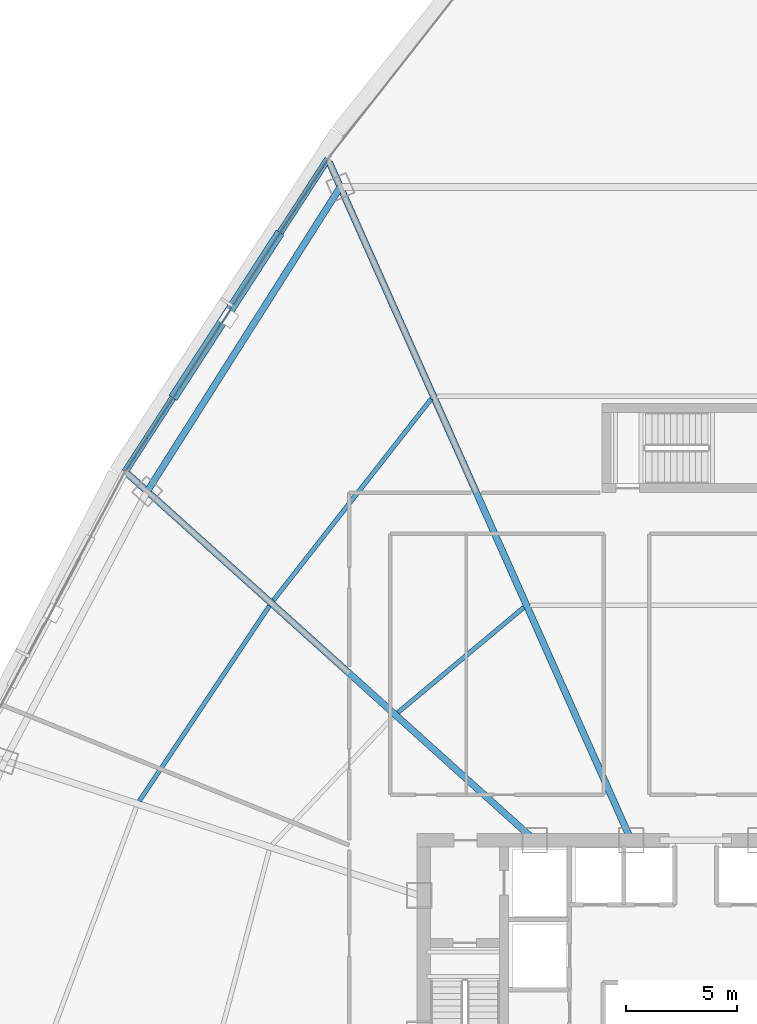
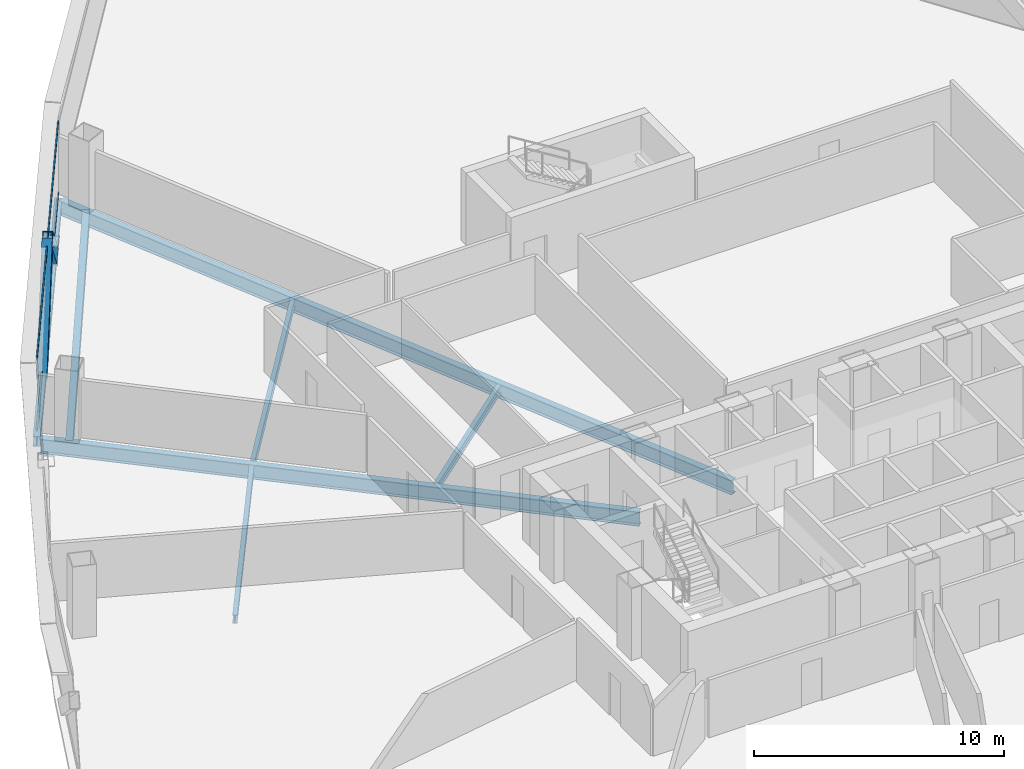
# One storey, part 17 of 41: 7 beams, 4 members, 1 element without a shape of its own.
"""IFC4 building model written with IfcOpenShell, lengths in metres."""

import ifcopenshell
import ifcopenshell.guid

model = None  # the IFC model being written
_history = None  # IfcOwnerHistory: only IFC2X3 demands one
_inside = {}  # id of a spatial element -> (the spatial element, [elements in it])
_under = {}  # id of a project, library or spatial element -> (it, [spatial elements below it])
_declared = {}  # id of a project -> (the project, [libraries it declares])
_typed = {}  # id of a type object -> (the type object, [elements of that type])
_made_of = {}  # id of a material, layer set ... -> (it, [elements and type objects made of it])


def new_model(schema):
    """Start an empty IFC model of exactly this schema.

    Asked for "IFC4X3", IfcOpenShell would pick the latest addendum, in which some entities
    have other attributes; the version numbers below select the first issue.
    IFC2X3 requires an IfcOwnerHistory on every rooted entity: one is made here for all.
    """
    global model, _history
    if schema == "IFC4X3":
        model = ifcopenshell.file(schema_version=(4, 3, 0, 0))
    else:
        model = ifcopenshell.file(schema=schema)
    _inside.clear()
    _under.clear()
    _declared.clear()
    _typed.clear()
    _made_of.clear()
    _history = None
    if model.schema == "IFC2X3":
        org = make("IfcOrganization", Name="unknown")
        user = make(
            "IfcPersonAndOrganization",
            ThePerson=make("IfcPerson", FamilyName="unknown"),
            TheOrganization=org,
        )
        app = make(
            "IfcApplication",
            ApplicationDeveloper=org,
            Version="unknown",
            ApplicationFullName="unknown",
            ApplicationIdentifier="unknown",
        )
        _history = make(
            "IfcOwnerHistory",
            OwningUser=user,
            OwningApplication=app,
            ChangeAction="ADDED",
            CreationDate=0,
        )
    return model


def make(cls, **values):
    """One entity of the class cls with the attributes given. An attribute that is None is left unset."""
    return model.create_entity(
        cls, **{name: value for name, value in values.items() if value is not None}
    )


def rooted(cls, **values):
    """An entity with a GlobalId (a new one), such as an element, a storey or a relation."""
    return make(cls, GlobalId=ifcopenshell.guid.new(), OwnerHistory=_history, **values)


def si_unit(unit_type, name, prefix=None):
    """IfcSIUnit, for example si_unit("LENGTHUNIT", "METRE", prefix="MILLI")."""
    return make("IfcSIUnit", UnitType=unit_type, Prefix=prefix, Name=name)


def assignment(units):
    """IfcUnitAssignment: the units of a project."""
    return None if units is None else make("IfcUnitAssignment", Units=units)


def point(xyz):
    """IfcCartesianPoint."""
    return None if xyz is None else make("IfcCartesianPoint", Coordinates=xyz)


def direction(xyz):
    """IfcDirection."""
    return None if xyz is None else make("IfcDirection", DirectionRatios=xyz)


def frame(location, z_axis=None, x_axis=None):
    """IfcAxis2Placement3D, a coordinate frame: its origin and axes. An axis left out is left unset."""
    return make(
        "IfcAxis2Placement3D",
        Location=point(location),
        Axis=direction(z_axis),
        RefDirection=direction(x_axis),
    )


def frame_2d(location, x_axis=None):
    """IfcAxis2Placement2D, a coordinate frame in the plane: its origin and x axis."""
    return make(
        "IfcAxis2Placement2D", Location=point(location), RefDirection=direction(x_axis)
    )


def origin():
    """The frame at (0, 0, 0) with its axes left unset."""
    return frame((0.0, 0.0, 0.0))


def origin_2d():
    """The frame at (0, 0) in the plane with its x axis left unset."""
    return frame_2d((0.0, 0.0))


def place(relative_to, where):
    """IfcLocalPlacement: puts the frame where relative to a parent placement (None: the world)."""
    return make(
        "IfcLocalPlacement", PlacementRelTo=relative_to, RelativePlacement=where
    )


def context(
    kind, dimensions, precision=None, world=None, true_north=None, identifier=None
):
    """IfcGeometricRepresentationContext, for example the 3D "Model" context."""
    return make(
        "IfcGeometricRepresentationContext",
        ContextIdentifier=identifier,
        ContextType=kind,
        CoordinateSpaceDimension=dimensions,
        Precision=precision,
        WorldCoordinateSystem=world,
        TrueNorth=true_north,
    )


def subcontext(parent, identifier, kind, view, scale=None):
    """IfcGeometricRepresentationSubContext, for example "Body" below "Model"."""
    return make(
        "IfcGeometricRepresentationSubContext",
        ContextIdentifier=identifier,
        ContextType=kind,
        ParentContext=parent,
        TargetScale=scale,
        TargetView=view,
    )


def project(units=None, contexts=None):
    """IfcProject with its units and contexts."""
    return rooted(
        "IfcProject",
        Name="project",
        RepresentationContexts=contexts,
        UnitsInContext=assignment(units),
    )


def spatial(cls, under=None, at=None, **own):
    """A site, building, storey or space (cls), placed at a placement, below another one or the project."""
    s = rooted(cls, ObjectPlacement=at, **own)
    if under is not None:
        _under.setdefault(under.id(), (under, []))[1].append(s)
    return s


def profile(cls, at=None, kind="AREA", **sizes):
    """A parametric profile (cls). Its sizes go by their IFC names, for example OverallWidth=200.0."""
    return make(cls, ProfileType=kind, Position=at, **sizes)


def hollow_rectangle(**sizes):
    """IfcRectangleHollowProfileDef."""
    return profile("IfcRectangleHollowProfileDef", **sizes)


def i_section(**sizes):
    """IfcIShapeProfileDef."""
    return profile("IfcIShapeProfileDef", **sizes)


def extrude(swept, where, along, depth):
    """IfcExtrudedAreaSolid: the profile swept, set in the frame where, extruded along a direction by depth."""
    return make(
        "IfcExtrudedAreaSolid",
        SweptArea=swept,
        Position=where,
        ExtrudedDirection=direction(along),
        Depth=depth,
    )


def shape(context_of_items, identifier, shape_type, items):
    """IfcShapeRepresentation: the items that make up one representation, for example the "Body"."""
    return make(
        "IfcShapeRepresentation",
        ContextOfItems=context_of_items,
        RepresentationIdentifier=identifier,
        RepresentationType=shape_type,
        Items=items,
    )


def source(mapping_origin, context_of_items, identifier, shape_type, items):
    """IfcRepresentationMap: a shape defined once, which mapped items show again and again."""
    return make(
        "IfcRepresentationMap",
        MappingOrigin=mapping_origin,
        MappedRepresentation=shape(context_of_items, identifier, shape_type, items),
    )


def transform(
    local_origin,
    x_axis=None,
    y_axis=None,
    z_axis=None,
    scale=None,
    scale2=None,
    scale3=None,
    uniform=True,
):
    """IfcCartesianTransformationOperator3D, or its non-uniform kind. x_axis, y_axis, z_axis: its Axis1, 2, 3."""
    if uniform:
        return make(
            "IfcCartesianTransformationOperator3D",
            Axis1=direction(x_axis),
            Axis2=direction(y_axis),
            LocalOrigin=point(local_origin),
            Scale=scale,
            Axis3=direction(z_axis),
        )
    return make(
        "IfcCartesianTransformationOperator3DnonUniform",
        Axis1=direction(x_axis),
        Axis2=direction(y_axis),
        LocalOrigin=point(local_origin),
        Scale=scale,
        Axis3=direction(z_axis),
        Scale2=scale2,
        Scale3=scale3,
    )


def mapped(mapping_source, mapping_target):
    """IfcMappedItem: shows the shape of a source again, moved by a transform."""
    return make(
        "IfcMappedItem", MappingSource=mapping_source, MappingTarget=mapping_target
    )


def material(Name=None, Category=None):
    """IfcMaterial."""
    return make("IfcMaterial", Name=Name, Category=Category)


def layer(
    of_material, thickness, ventilated=None, Name=None, Category=None, Priority=None
):
    """IfcMaterialLayer: one layer of a wall or slab, of a material (None: an air gap)."""
    return make(
        "IfcMaterialLayer",
        Material=of_material,
        LayerThickness=thickness,
        IsVentilated=ventilated,
        Name=Name,
        Category=Category,
        Priority=Priority,
    )


def layer_set(layers, Name=None):
    """IfcMaterialLayerSet."""
    return make("IfcMaterialLayerSet", MaterialLayers=layers, LayerSetName=Name)


def material_profile(
    of_material, cross_section, Name=None, Category=None, Priority=None
):
    """IfcMaterialProfile: a cross section and its material."""
    return make(
        "IfcMaterialProfile",
        Name=Name,
        Material=of_material,
        Profile=cross_section,
        Priority=Priority,
        Category=Category,
    )


def profile_set(profiles, Name=None, composite=None):
    """IfcMaterialProfileSet."""
    return make(
        "IfcMaterialProfileSet",
        Name=Name,
        MaterialProfiles=profiles,
        CompositeProfile=composite,
    )


def made_of(thing, what):
    """Note that an element or type object is made of a material, layer set ...; save() writes the relation."""
    if what is not None:
        _made_of.setdefault(what.id(), (what, []))[1].append(thing)
    return thing


def type_object(cls, material=None, **own):
    """A type object (cls), such as IfcWallType, which elements share."""
    return made_of(rooted(cls, **own), material)


def element(
    cls,
    number,
    at=None,
    inside=None,
    cuts=None,
    type_object=None,
    material=None,
    context=None,
    identifier="Body",
    shape_type=None,
    held_by="IfcProductDefinitionShape",
    body=None,
    shapes=None,
    **own,
):
    """One element of the class cls, such as IfcWall. Its Tag is "e" and its number.

    at: its placement. inside: the storey or other place that contains it. cuts: it is an
    opening in that element (IfcRelVoidsElement). A single representation is given by context,
    identifier, shape_type and body (its items); several are given by shapes. held_by: the class
    of the entity that holds the representations. save() writes the other relations.
    """
    e = rooted(cls, Tag="e%d" % number, ObjectPlacement=at, **own)
    if body is not None:
        shapes = [shape(context, identifier, shape_type, body)]
    if shapes is not None:
        e.Representation = make(held_by, Representations=shapes)
    if inside is not None:
        _inside.setdefault(inside.id(), (inside, []))[1].append(e)
    if cuts is not None:
        rooted(
            "IfcRelVoidsElement", RelatingBuildingElement=cuts, RelatedOpeningElement=e
        )
    if type_object is not None:
        _typed.setdefault(type_object.id(), (type_object, []))[1].append(e)
    return made_of(e, material)


def aggregate(whole, parts):
    """IfcRelAggregates: a whole, such as a stair, and the parts it consists of."""
    return rooted("IfcRelAggregates", RelatingObject=whole, RelatedObjects=parts)


def save(model, path):
    """Write the relations noted so far, then the file.

    IfcRelAggregates (storeys below a building ...), IfcRelContainedInSpatialStructure (elements
    in a storey), IfcRelDefinesByType, IfcRelAssociatesMaterial and IfcRelDeclares: one each for
    every whole, place, type object, material and project.
    """
    for whole, parts in _under.values():
        aggregate(whole, parts)
    for where, things in _inside.values():
        rooted(
            "IfcRelContainedInSpatialStructure",
            RelatedElements=things,
            RelatingStructure=where,
        )
    for kind, things in _typed.values():
        rooted("IfcRelDefinesByType", RelatedObjects=things, RelatingType=kind)
    for what, things in _made_of.values():
        rooted("IfcRelAssociatesMaterial", RelatedObjects=things, RelatingMaterial=what)
    for by, libraries in _declared.values():
        rooted("IfcRelDeclares", RelatingContext=by, RelatedDefinitions=libraries)
    model.write(path)


model = new_model("IFC4")

# Units and contexts
model_context = context("Model", 3, precision=1e-05, world=origin(), true_north=direction((0.0, 1.0)))
body_context = subcontext(model_context, "Body", "Model", "MODEL_VIEW")
ifc_project = project(units=[si_unit("LENGTHUNIT", "METRE"), si_unit("AREAUNIT", "SQUARE_METRE"), si_unit("VOLUMEUNIT", "CUBIC_METRE"), si_unit("PLANEANGLEUNIT", "RADIAN"), si_unit("MASSUNIT", "GRAM", prefix="KILO"), si_unit("THERMODYNAMICTEMPERATUREUNIT", "KELVIN"), si_unit("POWERUNIT", "WATT")], contexts=[model_context])

# Site, building, storey
site_placement = place(None, origin())
site = spatial("IfcSite", under=ifc_project, at=site_placement, CompositionType="ELEMENT")
building_placement = place(site_placement, origin())
building = spatial("IfcBuilding", under=site, at=building_placement, Name="Yunzhuo Pagoda Commons", CompositionType="ELEMENT")
storey_placement = place(building_placement, frame((0.0, 0.0, 115.3798828125)))
storey = spatial("IfcBuildingStorey", under=building, at=storey_placement, Name="L29", CompositionType="ELEMENT", Elevation=115.3798828125)

# Beams
ifc_material_1 = material(Name="Structural steel Q355B", Category="steel")
ifc_material_profile_1 = material_profile(ifc_material_1, i_section(OverallWidth=0.300048828125, OverallDepth=0.699951171875, WebThickness=0.012939453125, FlangeThickness=0.02392578125, at=origin_2d()), Name="Structural steel Q355B")
ifc_profile_set_1 = profile_set([ifc_material_profile_1], Name="Structural steel Q355B")
beam_type_1 = type_object("IfcBeamType", Name="B-RG1 Beam HN 700x300x13x24", PredefinedType="BEAM", material=ifc_profile_set_1)
shared_shape_1 = source(origin(), body_context, "Body", "SweptSolid", [
    extrude(i_section(OverallWidth=0.300048828125, OverallDepth=0.699951171875, WebThickness=0.012939453125, FlangeThickness=0.02392578125, at=origin_2d()), origin(), (0.0, 0.0, 1.0), 16.16845703125),
])
beam_1_placement = place(storey_placement, frame((32.05859375, 69.505126953125, -0.609619140625), z_axis=(-0.535695673154, -0.844411123662, 0.0), x_axis=(0.844411123662, -0.535695673154, 0.0)))
element("IfcBeam", 1, at=beam_1_placement, inside=storey, type_object=beam_type_1, Name="L29 column-ring beam 9", PredefinedType="BEAM", context=body_context, shape_type="MappedRepresentation", body=[
    mapped(shared_shape_1, transform((0.0, 0.0, 0.0), scale=1.0)),
])
ifc_material_profile_2 = material_profile(ifc_material_1, i_section(OverallWidth=0.199951171875, OverallDepth=0.39990234375, WebThickness=0.008056640625, FlangeThickness=0.012939453125, at=origin_2d()), Name="Structural steel Q355B")
ifc_profile_set_2 = profile_set([ifc_material_profile_2], Name="Structural steel Q355B")
beam_type_2 = type_object("IfcBeamType", Name="B-JS1 Joist HN 400x200x8x13", PredefinedType="JOIST", material=ifc_profile_set_2)
shared_shape_2 = source(origin(), body_context, "Body", "SweptSolid", [
    extrude(i_section(OverallWidth=0.199951171875, OverallDepth=0.39990234375, WebThickness=0.008056640625, FlangeThickness=0.012939453125, at=origin_2d()), origin(), (0.0, 0.0, 1.0), 10.50537109375),
])
beam_2_placement = place(storey_placement, frame((28.871826171875, 50.711181640625, -0.4599609375), z_axis=(-0.554523204193, -0.832168261839, 0.0), x_axis=(0.832168261839, -0.554523204193, 0.0)))
element("IfcBeam", 2, at=beam_2_placement, inside=storey, type_object=beam_type_2, Name="L29 composite ring joist 2.10", PredefinedType="JOIST", context=body_context, shape_type="MappedRepresentation", body=[
    mapped(shared_shape_2, transform((0.0, 0.0, 0.0), scale=1.0)),
])
shared_shape_3 = source(origin(), body_context, "Body", "SweptSolid", [
    extrude(i_section(OverallWidth=0.199951171875, OverallDepth=0.39990234375, WebThickness=0.008056640625, FlangeThickness=0.012939453125, at=origin_2d()), origin(), (0.0, 0.0, 1.0), 7.35009765625),
])
beam_3_placement = place(storey_placement, frame((40.286865234375, 50.64794921875, -0.4599609375), z_axis=(-0.767561992249, -0.640974717173, 0.0), x_axis=(0.640974717173, -0.767561992249, 0.0)))
element("IfcBeam", 3, at=beam_3_placement, inside=storey, type_object=beam_type_2, Name="L29 composite ring joist 1.9", PredefinedType="JOIST", context=body_context, shape_type="MappedRepresentation", body=[
    mapped(shared_shape_3, transform((0.0, 0.0, 0.0), scale=1.0)),
])
shared_shape_4 = source(origin(), body_context, "Body", "SweptSolid", [
    extrude(i_section(OverallWidth=0.199951171875, OverallDepth=0.39990234375, WebThickness=0.008056640625, FlangeThickness=0.012939453125, at=origin_2d()), origin(), (0.0, 0.0, 1.0), 11.4755859375),
])
beam_4_placement = place(storey_placement, frame((36.135498046875, 60.002197265625, -0.4599609375), z_axis=(-0.616713174055, -0.787187945123, 0.0), x_axis=(0.787187945123, -0.616713174055, 0.0)))
element("IfcBeam", 4, at=beam_4_placement, inside=storey, type_object=beam_type_2, Name="L29 composite ring joist 2.9", PredefinedType="JOIST", context=body_context, shape_type="MappedRepresentation", body=[
    mapped(shared_shape_4, transform((0.0, 0.0, 0.0), scale=1.0)),
])
shared_shape_5 = source(origin(), body_context, "Body", "SweptSolid", [
    extrude(i_section(OverallWidth=0.300048828125, OverallDepth=0.699951171875, WebThickness=0.012939453125, FlangeThickness=0.02392578125, at=origin_2d()), origin(), (0.0, 0.0, 1.0), 24.568359375),
])
beam_5_placement = place(storey_placement, frame((22.523193359375, 56.639404296875, -0.609619140625), z_axis=(0.743143916503, -0.669131615876, 0.0), x_axis=(0.669131615876, 0.743143916503, 0.0)))
element("IfcBeam", 5, at=beam_5_placement, inside=storey, type_object=beam_type_1, Name="L29 radial floor girder F3C2", PredefinedType="BEAM", context=body_context, shape_type="MappedRepresentation", body=[
    mapped(shared_shape_5, transform((0.0, 0.0, 0.0), scale=1.0)),
])
shared_shape_6 = source(origin(), body_context, "Body", "SweptSolid", [
    extrude(i_section(OverallWidth=0.300048828125, OverallDepth=0.699951171875, WebThickness=0.012939453125, FlangeThickness=0.02392578125, at=origin_2d()), origin(), (0.0, 0.0, 1.0), 33.302490234375),
])
beam_6_placement = place(storey_placement, frame((31.560791015625, 70.623291015625, -0.609619140625), z_axis=(0.406732192738, -0.913547439048, 0.0), x_axis=(0.913547439048, 0.406732192738, 0.0)))
element("IfcBeam", 6, at=beam_6_placement, inside=storey, type_object=beam_type_1, Name="L29 radial floor girder F3C1", PredefinedType="BEAM", context=body_context, shape_type="MappedRepresentation", body=[
    mapped(shared_shape_6, transform((0.0, 0.0, 0.0), scale=1.0)),
])
ifc_material_profile_3 = material_profile(ifc_material_1, i_section(OverallWidth=0.300048828125, OverallDepth=0.488037109375, WebThickness=0.010986328125, FlangeThickness=0.01806640625, at=origin_2d()), Name="Structural steel Q355B")
ifc_profile_set_3 = profile_set([ifc_material_profile_3], Name="Structural steel Q355B")
beam_type_3 = type_object("IfcBeamType", Name="B-SP1 Beam HM 488x300x11x18", PredefinedType="BEAM", material=ifc_profile_set_3)
shared_shape_7 = source(origin(), body_context, "Body", "SweptSolid", [
    extrude(i_section(OverallWidth=0.300048828125, OverallDepth=0.488037109375, WebThickness=0.010986328125, FlangeThickness=0.01806640625, at=origin_2d()), origin(), (0.0, 0.0, 1.0), 16.710205078125),
])
beam_7_placement = place(storey_placement, frame((31.497802734375, 70.764892578125, -0.50390625), z_axis=(-0.543973185702, -0.839102599947, 0.0), x_axis=(0.839102599947, -0.543973185702, 0.0)))
element("IfcBeam", 7, at=beam_7_placement, inside=storey, type_object=beam_type_3, Name="L29 facade edge spandrel beam F3.1", PredefinedType="BEAM", context=body_context, shape_type="MappedRepresentation", body=[
    mapped(shared_shape_7, transform((0.0, 0.0, 0.0), scale=1.0)),
])

# Members
ifc_material_2 = material(Name="Structural steel Q420B", Category="steel")
ifc_material_profile_4 = material_profile(ifc_material_2, hollow_rectangle(XDim=0.419921875, YDim=0.719970703125, WallThickness=0.028076171875, at=origin_2d()), Name="Structural steel Q420B")
ifc_profile_set_4 = profile_set([ifc_material_profile_4], Name="Structural steel Q420B")
member_type_1 = type_object("IfcMemberType", Name="M-DL1 Brace BOX 720x420x28", PredefinedType="BRACE", material=ifc_profile_set_4)
shared_shape_8 = source(origin(), body_context, "Body", "SweptSolid", [
    extrude(hollow_rectangle(XDim=0.419921875, YDim=0.719970703125, WallThickness=0.028076171875, at=origin_2d()), origin(), (0.0, 0.0, 1.0), 5.6337890625),
])
for number, where, z_axis, x_axis, name in (
    (8, (29.22509765625, 67.259765625, -0.259765625), (-0.403322617711, -0.622253085603, 0.670918745826), (0.839146565245, -0.543905361288, 0.0), "L29 facade diamond brace F3.1L"),
    (9, (24.680419921875, 60.248779296875, -0.259765625), (0.403369779324, 0.622215652291, 0.670925109958), (-0.839102599947, 0.543973185702, 0.0), "L29 facade diamond brace F3.1R"),
):
    element("IfcMember", number, at=place(storey_placement, frame(where, z_axis=z_axis, x_axis=x_axis)), inside=storey, type_object=member_type_1, Name=name, PredefinedType="BRACE", context=body_context, shape_type="MappedRepresentation", body=[
        mapped(shared_shape_8, transform((0.0, 0.0, 0.0), scale=1.0)),
    ])

# Curtain wall, members
ifc_material_3 = material(Name="Anodized aluminium 6063-T6", Category="aluminium")
ifc_layer = layer(ifc_material_3, 0.1650390625)
ifc_layer_set = layer_set([ifc_layer], Name="Anodized aluminium 6063-T6")
curtain_wall_type = type_object("IfcCurtainWallType", Name="CW-LOW Low-Zone Ribbon Curtain Wall", PredefinedType="NOTDEFINED", material=ifc_layer_set)
curtain_wall_placement = place(storey_placement, origin())
curtain_wall = element("IfcCurtainWall", 10, at=curtain_wall_placement, inside=storey, type_object=curtain_wall_type, Name="L29 curtain wall CW-L29-F3B2", PredefinedType="NOTDEFINED")
ifc_material_profile_5 = material_profile(ifc_material_3, hollow_rectangle(XDim=0.06005859375, YDim=0.139892578125, WallThickness=0.00341796875, at=origin_2d()), Name="Anodized aluminium 6063-T6")
ifc_profile_set_5 = profile_set([ifc_material_profile_5], Name="Anodized aluminium 6063-T6")
member_type_2 = type_object("IfcMemberType", Name="CW-LOW-T Transom RHS 140x60x3.5", PredefinedType="USERDEFINED", material=ifc_profile_set_5)
shared_shape_9 = source(origin(), body_context, "Body", "SweptSolid", [
    extrude(hollow_rectangle(XDim=0.06005859375, YDim=0.139892578125, WallThickness=0.00341796875, at=origin_2d()), origin(), (0.0, 0.0, 1.0), 16.580322265625),
])
member_1_placement = place(storey_placement, frame((31.46240234375, 70.71044921875, 0.030029296875), z_axis=(-0.543964194314, -0.839108428812, 0.0), x_axis=(0.839108428812, -0.543964194314, 0.0)))
member_1 = element("IfcMember", 11, at=member_1_placement, type_object=member_type_2, Name="CW transom 1.1", ObjectType="TRANSOM", PredefinedType="USERDEFINED", context=body_context, shape_type="MappedRepresentation", body=[
    mapped(shared_shape_9, transform((0.0, 0.0, 0.0), scale=1.0)),
])
member_2_placement = place(storey_placement, frame((31.46240234375, 70.71044921875, 3.490234375), z_axis=(-0.543964194314, -0.839108428812, 0.0), x_axis=(0.839108428812, -0.543964194314, 0.0)))
member_2 = element("IfcMember", 12, at=member_2_placement, type_object=member_type_2, Name="CW transom 1.2", ObjectType="TRANSOM", PredefinedType="USERDEFINED", context=body_context, shape_type="MappedRepresentation", body=[
    mapped(shared_shape_9, transform((0.0, 0.0, 0.0), scale=1.0)),
])
aggregate(curtain_wall, [member_1, member_2])

save(model, "model.ifc")
